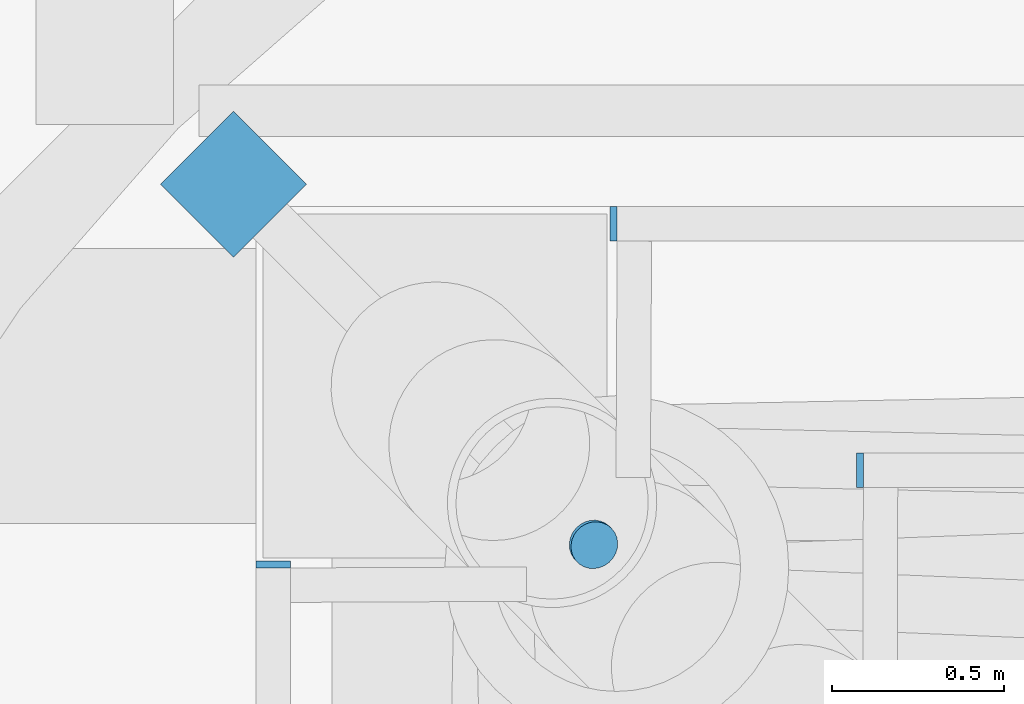
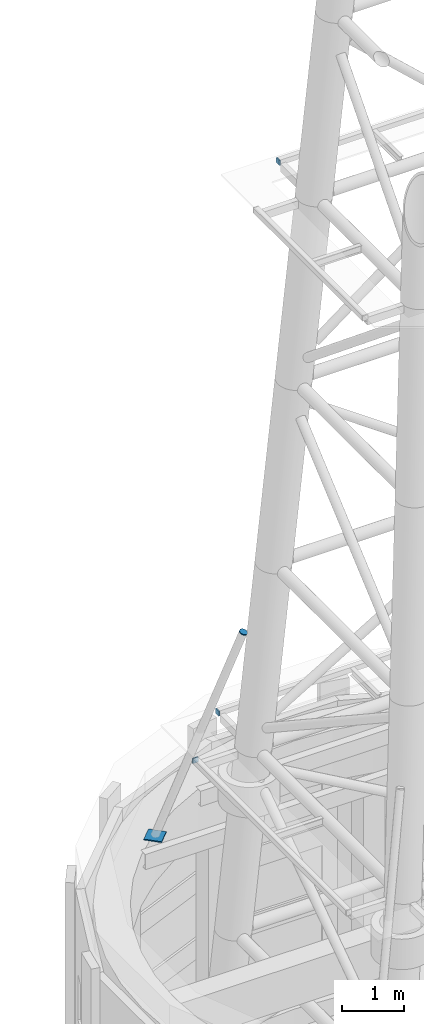
# One storey, part 22 of 36: 5 discrete accessories.
"""IFC4 building model written with IfcOpenShell, lengths in metres."""

from ifc_helpers import new_model, si_unit, direction, frame, origin, origin_2d, place, context, subcontext, project, spatial, rectangle, circle, extrude, material, material_profile, profile_set, type_object, element, save


model = new_model("IFC4")

# Units and contexts
model_context = context("Model", 3, precision=1e-05, world=origin(), true_north=direction((0.0, 1.0)))
body_context = subcontext(model_context, "Body", "Model", "MODEL_VIEW")
ifc_project = project(units=[si_unit("LENGTHUNIT", "METRE"), si_unit("AREAUNIT", "SQUARE_METRE"), si_unit("VOLUMEUNIT", "CUBIC_METRE"), si_unit("PLANEANGLEUNIT", "RADIAN"), si_unit("MASSUNIT", "GRAM", prefix="KILO")], contexts=[model_context])

# Site, building, storey
site_placement = place(None, origin())
site = spatial("IfcSite", under=ifc_project, at=site_placement, CompositionType="ELEMENT")
building_placement = place(site_placement, origin())
building = spatial("IfcBuilding", under=site, at=building_placement, Name="Ipe Terrace Towers", CompositionType="ELEMENT")
storey_placement = place(building_placement, frame((0.0, 0.0, 264.89990234375)))
storey = spatial("IfcBuildingStorey", under=building, at=storey_placement, Name="Roof", CompositionType="ELEMENT", Elevation=264.89990234375)

# Discrete accessories
ifc_material_1 = material(Name="Steel S355", Category="steel")
ifc_material_profile_1 = material_profile(ifc_material_1, rectangle(XDim=0.10009765625, YDim=0.10009765625, at=origin_2d()), Name="MAST END PLATE 100 x 100 x 20")
ifc_profile_set_1 = profile_set([ifc_material_profile_1], Name="Steel S355")
discrete_accessory_type_1 = type_object("IfcDiscreteAccessoryType", Name="MAST END PLATE 100 x 100 x 20", PredefinedType="BRACKET", material=ifc_profile_set_1)
for number, where, z_axis, x_axis, name in (
    (1, (-38.470947265625, 3.470947265625, 10.2470703125), (-1.0, 0.0, 0.0), (0.0, -1.0, 0.0), "mast end plate"),
    (2, (-39.470947265625, 2.470947265625, 10.2470703125), (0.0, 1.0, 0.0), (-1.0, 0.0, 0.0), "mast end plate"),
    (3, (-37.7548828125, 2.7548828125, 21.31005859375), (-1.0, 0.0, 0.0), (0.0, -1.0, 0.0), "mast end plate"),
):
    element("IfcDiscreteAccessory", number, at=place(storey_placement, frame(where, z_axis=z_axis, x_axis=x_axis)), inside=storey, type_object=discrete_accessory_type_1, Name=name, PredefinedType="BRACKET", context=body_context, shape_type="SweptSolid", body=[
        extrude(rectangle(XDim=0.10009765625, YDim=0.10009765625, at=origin_2d()), origin(), (0.0, 0.0, 1.0), 0.02001953125),
    ])
ifc_material_2 = material(Name="Steel S355", Category="steel")
ifc_material_profile_2 = material_profile(ifc_material_2, circle(Radius=0.070068359375, at=origin_2d()), Name="MAST END PLATE 140 DIA x 20")
ifc_profile_set_2 = profile_set([ifc_material_profile_2], Name="Steel S355")
discrete_accessory_type_2 = type_object("IfcDiscreteAccessoryType", Name="MAST END PLATE 140 DIA x 20", PredefinedType="BRACKET", material=ifc_profile_set_2)
discrete_accessory_1_placement = place(storey_placement, frame((-38.5419921875, 2.5419921875, 12.403076171875), z_axis=(0.241051348201, -0.241051348201, 0.940100257984), x_axis=(0.707106781187, 0.707106781187, 0.0)))
element("IfcDiscreteAccessory", 4, at=discrete_accessory_1_placement, inside=storey, type_object=discrete_accessory_type_2, Name="mast end plate", PredefinedType="BRACKET", context=body_context, shape_type="SweptSolid", body=[
    extrude(circle(Radius=0.070068359375, at=origin_2d()), origin(), (0.0, 0.0, 1.0), 0.020263671875),
])
ifc_material_3 = material(Name="Steel S355", Category="steel")
discrete_accessory_type_3 = type_object("IfcDiscreteAccessoryType", Name="MAST STAY BASE PLATE 300 x 300 x 20", PredefinedType="BRACKET", material=ifc_material_3)
discrete_accessory_2_placement = place(storey_placement, frame((-39.5859375, 3.5859375, 8.110107421875), z_axis=(0.0, 0.0, 1.0), x_axis=(0.707106781187, -0.707106781187, 0.0)))
element("IfcDiscreteAccessory", 5, at=discrete_accessory_2_placement, inside=storey, type_object=discrete_accessory_type_3, Name="mast stay base plate", PredefinedType="BRACKET", context=body_context, shape_type="SweptSolid", body=[
    extrude(rectangle(XDim=0.300048828125, YDim=0.300048828125, at=origin_2d()), origin(), (0.0, 0.0, 1.0), 0.02001953125),
])

save(model, "model.ifc")
